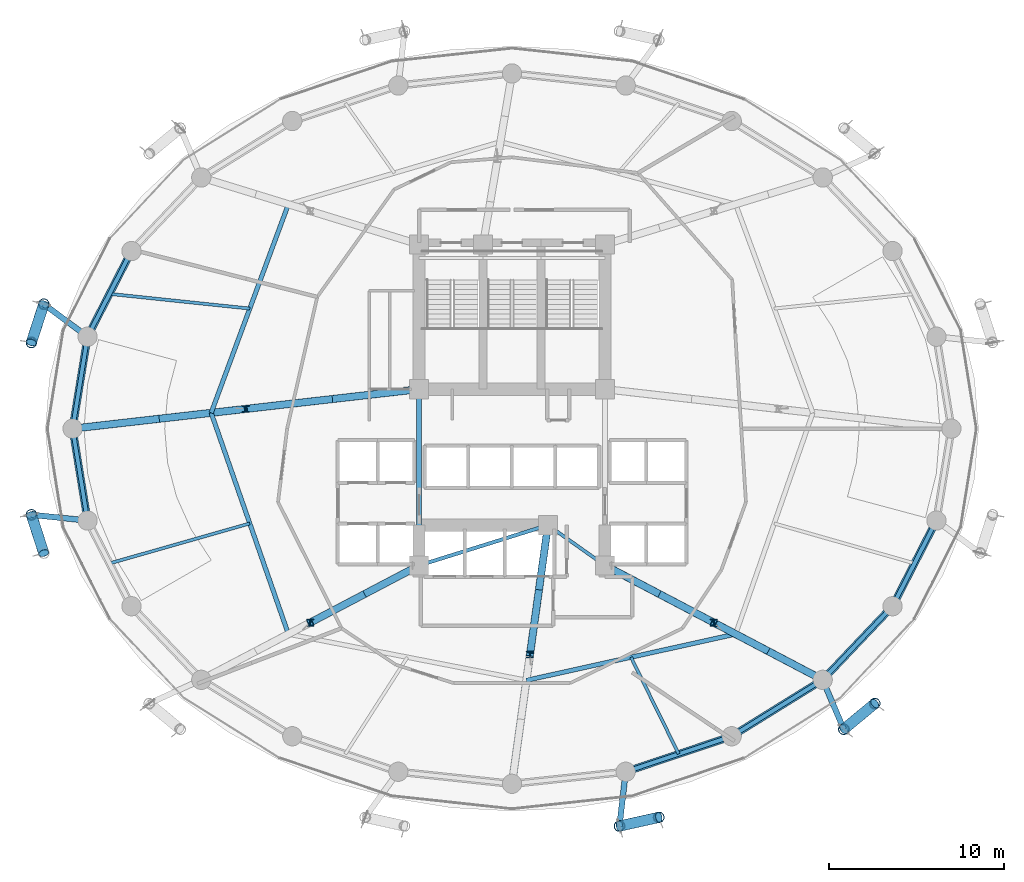
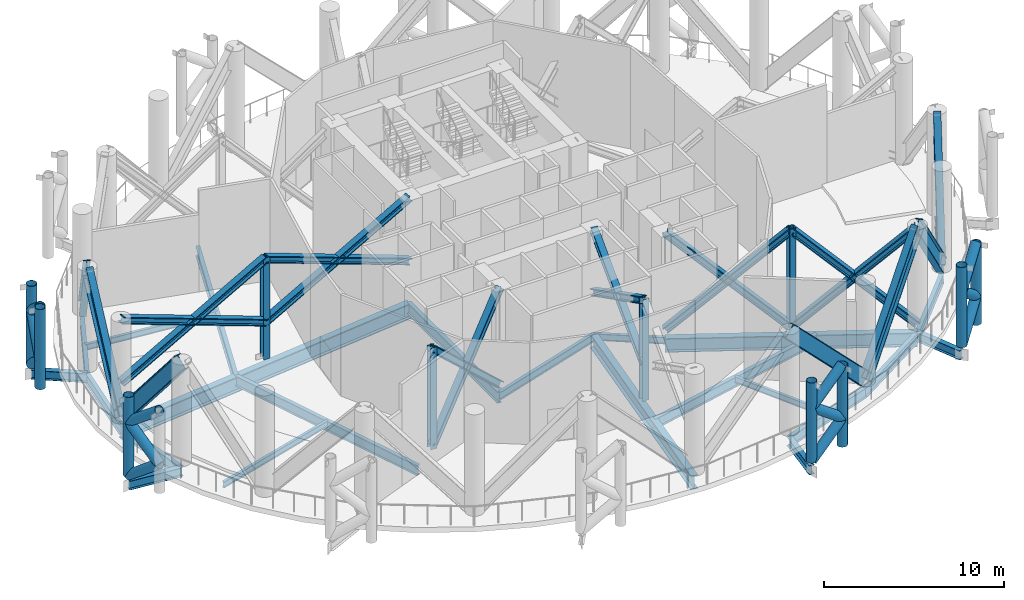
# One storey, part 2 of 19: 42 members, 23 beams.
"""IFC4 building model written with IfcOpenShell, lengths in metres."""

from ifc_helpers import new_model, si_unit, direction, frame, origin, origin_2d, place, context, subcontext, project, spatial, hollow_circle, i_section, extrude, material, material_profile, profile_set, type_object, element, save


model = new_model("IFC4")

# Units and contexts
model_context = context("Model", 3, precision=1e-05, world=origin(), true_north=direction((0.0, 1.0)))
body_context = subcontext(model_context, "Body", "Model", "MODEL_VIEW")
ifc_project = project(units=[si_unit("LENGTHUNIT", "METRE"), si_unit("AREAUNIT", "SQUARE_METRE"), si_unit("VOLUMEUNIT", "CUBIC_METRE"), si_unit("PLANEANGLEUNIT", "RADIAN"), si_unit("MASSUNIT", "GRAM", prefix="KILO")], contexts=[model_context])

# Site, building, storey
site_placement = place(None, origin())
site = spatial("IfcSite", under=ifc_project, at=site_placement, CompositionType="ELEMENT")
building_placement = place(site_placement, origin())
building = spatial("IfcBuilding", under=site, at=building_placement, Name="Nuhasar Tower", CompositionType="ELEMENT")
storey_placement = place(building_placement, frame((0.0, 0.0, 106.050048828125)))
storey = spatial("IfcBuildingStorey", under=building, at=storey_placement, Name="L25", CompositionType="ELEMENT", Elevation=106.050048828125)

# Members
ifc_material_1 = material(Name="Steel S460", Category="steel")
ifc_material_profile_1 = material_profile(ifc_material_1, i_section(OverallWidth=0.419921875, OverallDepth=0.931884765625, WebThickness=0.021240234375, FlangeThickness=0.03662109375, at=origin_2d()), Name="W36X262")
ifc_profile_set_1 = profile_set([ifc_material_profile_1], Name="Steel S460")
member_type_1 = type_object("IfcMemberType", Name="BLT-DIAG-W36A", PredefinedType="CHORD", material=ifc_profile_set_1)
member_1_placement = place(storey_placement, frame((17.305908203125, 36.925048828125, 0.14990234375), z_axis=(-0.292010631919, -0.570030512444, 0.767981123289), x_axis=(0.890015625314, -0.455930023905, 0.0)))
element("IfcMember", 1, at=member_1_placement, inside=storey, type_object=member_type_1, Name="L25 Belt Truss Diagonal 11", PredefinedType="CHORD", context=body_context, shape_type="SweptSolid", body=[
    extrude(i_section(OverallWidth=0.419921875, OverallDepth=0.931884765625, WebThickness=0.021240234375, FlangeThickness=0.03662109375, at=origin_2d()), origin(), (0.0, 0.0, 1.0), 8.568115234375),
])
for number, where, z_axis, x_axis, name in (
    (2, (13.949951171875, 26.800048828125, 0.14990234375), (0.101000515372, 0.619833637362, 0.778206372301), (-0.986982671235, 0.160826635486, 0.0), "L25 Belt Truss Diagonal 12"),
    (3, (13.949951171875, 26.800048828125, 0.14990234375), (0.101000515372, -0.619833637362, 0.778206372301), (0.986982671235, 0.160826635486, 0.0), "L25 Belt Truss Diagonal 13"),
):
    element("IfcMember", number, at=place(storey_placement, frame(where, z_axis=z_axis, x_axis=x_axis)), inside=storey, type_object=member_type_1, Name=name, PredefinedType="CHORD", context=body_context, shape_type="SweptSolid", body=[
        extrude(i_section(OverallWidth=0.419921875, OverallDepth=0.931884765625, WebThickness=0.021240234375, FlangeThickness=0.03662109375, at=origin_2d()), origin(), (0.0, 0.0, 1.0), 8.455322265625),
    ])
member_2_placement = place(storey_placement, frame((51.52490234375, 9.262939453125, 0.14990234375), z_axis=(-0.659646146628, -0.220859381403, 0.718392716337), x_axis=(0.317491935271, -0.94826097201, 0.0)))
element("IfcMember", 4, at=member_2_placement, inside=storey, type_object=member_type_1, Name="L25 Belt Truss Diagonal 20", PredefinedType="CHORD", context=body_context, shape_type="SweptSolid", body=[
    extrude(i_section(OverallWidth=0.419921875, OverallDepth=0.931884765625, WebThickness=0.021240234375, FlangeThickness=0.03662109375, at=origin_2d()), origin(), (0.0, 0.0, 1.0), 9.159423828125),
])
member_3_placement = place(storey_placement, frame((51.52490234375, 9.262939453125, 0.14990234375), z_axis=(0.5779854684, 0.358514186305, 0.733075969144), x_axis=(-0.527112976439, 0.849795216549, 0.0)))
element("IfcMember", 5, at=member_3_placement, inside=storey, type_object=member_type_1, Name="L25 Belt Truss Diagonal 21", PredefinedType="CHORD", context=body_context, shape_type="SweptSolid", body=[
    extrude(i_section(OverallWidth=0.419921875, OverallDepth=0.931884765625, WebThickness=0.021240234375, FlangeThickness=0.03662109375, at=origin_2d()), origin(), (0.0, 0.0, 1.0), 8.97607421875),
])
member_4_placement = place(storey_placement, frame((60.694091796875, 16.675048828125, 0.14990234375), z_axis=(-0.454474436548, -0.478776988131, 0.751149507196), x_axis=(0.725274490569, -0.688459812429, 0.0)))
element("IfcMember", 6, at=member_4_placement, inside=storey, type_object=member_type_1, Name="L25 Belt Truss Diagonal 22", PredefinedType="CHORD", context=body_context, shape_type="SweptSolid", body=[
    extrude(i_section(OverallWidth=0.419921875, OverallDepth=0.931884765625, WebThickness=0.021240234375, FlangeThickness=0.03662109375, at=origin_2d()), origin(), (0.0, 0.0, 1.0), 8.760009765625),
])
member_5_placement = place(storey_placement, frame((60.694091796875, 16.675048828125, 0.14990234375), z_axis=(0.292010631919, 0.570030512444, 0.767981123289), x_axis=(-0.890015625314, 0.455930023905, 0.0)))
element("IfcMember", 7, at=member_5_placement, inside=storey, type_object=member_type_1, Name="L25 Belt Truss Diagonal 23", PredefinedType="CHORD", context=body_context, shape_type="SweptSolid", body=[
    extrude(i_section(OverallWidth=0.419921875, OverallDepth=0.931884765625, WebThickness=0.021240234375, FlangeThickness=0.03662109375, at=origin_2d()), origin(), (0.0, 0.0, 1.0), 8.568115234375),
])

# Beams
ifc_material_2 = material(Name="Steel S355", Category="steel")
ifc_material_profile_2 = material_profile(ifc_material_2, i_section(OverallWidth=0.25390625, OverallDepth=0.68408203125, WebThickness=0.012451171875, FlangeThickness=0.018798828125, at=origin_2d()), Name="W27X94")
ifc_profile_set_2 = profile_set([ifc_material_profile_2], Name="Steel S355")
beam_type_1 = type_object("IfcBeamType", Name="BM-INRING-W27X94", PredefinedType="BEAM", material=ifc_profile_set_2)
beam_1_placement = place(storey_placement, frame((39.820068359375, 12.449951171875, -0.692138671875), z_axis=(0.976386023343, 0.216033176665, 0.0), x_axis=(-0.216033176665, 0.976386023343, 0.0)))
element("IfcBeam", 8, at=beam_1_placement, inside=storey, type_object=beam_type_1, Name="L25 Inner Header Beam 02", PredefinedType="BEAM", context=body_context, shape_type="SweptSolid", body=[
    extrude(i_section(OverallWidth=0.25390625, OverallDepth=0.68408203125, WebThickness=0.012451171875, FlangeThickness=0.018798828125, at=origin_2d()), origin(), (0.0, 0.0, 1.0), 12.216552734375),
])
beam_2_placement = place(storey_placement, frame((26.251953125, 39.591064453125, -0.692138671875), z_axis=(-0.34715757476, -0.937806812881, 0.0), x_axis=(0.937806812881, -0.34715757476, 0.0)))
element("IfcBeam", 9, at=beam_2_placement, inside=storey, type_object=beam_type_1, Name="L25 Inner Header Beam 07", PredefinedType="BEAM", context=body_context, shape_type="SweptSolid", body=[
    extrude(i_section(OverallWidth=0.25390625, OverallDepth=0.68408203125, WebThickness=0.012451171875, FlangeThickness=0.018798828125, at=origin_2d()), origin(), (0.0, 0.0, 1.0), 12.6796875),
])
beam_3_placement = place(storey_placement, frame((21.85009765625, 27.699951171875, -0.692138671875), z_axis=(0.329554049858, -0.944136710558, 0.0), x_axis=(0.944136710558, 0.329554049858, 0.0)))
element("IfcBeam", 10, at=beam_3_placement, inside=storey, type_object=beam_type_1, Name="L25 Inner Header Beam 08", PredefinedType="BEAM", context=body_context, shape_type="SweptSolid", body=[
    extrude(i_section(OverallWidth=0.25390625, OverallDepth=0.68408203125, WebThickness=0.012451171875, FlangeThickness=0.018798828125, at=origin_2d()), origin(), (0.0, 0.0, 1.0), 13.35693359375),
])
ifc_material_profile_3 = material_profile(ifc_material_2, i_section(OverallWidth=0.177978515625, OverallDepth=0.406005859375, WebThickness=0.0078125, FlangeThickness=0.0126953125, at=origin_2d()), Name="W16X40")
ifc_profile_set_3 = profile_set([ifc_material_profile_3], Name="Steel S355")
beam_type_2 = type_object("IfcBeamType", Name="BM-JST-W16X40", PredefinedType="JOIST", material=ifc_profile_set_3)
beam_4_placement = place(storey_placement, frame((45.783935546875, 13.77001953125, -0.552978515625), z_axis=(0.442126747458, -0.89695258469, 0.0), x_axis=(0.89695258469, 0.442126747458, 0.0)))
element("IfcBeam", 11, at=beam_4_placement, inside=storey, type_object=beam_type_2, Name="L25 Secondary Floor Joist 02", PredefinedType="JOIST", context=body_context, shape_type="SweptSolid", body=[
    extrude(i_section(OverallWidth=0.177978515625, OverallDepth=0.406005859375, WebThickness=0.0078125, FlangeThickness=0.0126953125, at=origin_2d()), origin(), (0.0, 0.0, 1.0), 6.152099609375),
])
beam_5_placement = place(storey_placement, frame((24.051025390625, 33.64501953125, -0.552978515625), z_axis=(-0.994554594377, 0.104216883485, 0.0), x_axis=(-0.104216883485, -0.994554594377, 0.0)))
element("IfcBeam", 12, at=beam_5_placement, inside=storey, type_object=beam_type_2, Name="L25 Secondary Floor Joist 07", PredefinedType="JOIST", context=body_context, shape_type="SweptSolid", body=[
    extrude(i_section(OverallWidth=0.177978515625, OverallDepth=0.406005859375, WebThickness=0.0078125, FlangeThickness=0.0126953125, at=origin_2d()), origin(), (0.0, 0.0, 1.0), 8.039794921875),
])
beam_6_placement = place(storey_placement, frame((24.051025390625, 21.39501953125, -0.552978515625), z_axis=(-0.961730884496, -0.273995813484, 0.0), x_axis=(0.273995813484, -0.961730884496, 0.0)))
element("IfcBeam", 13, at=beam_6_placement, inside=storey, type_object=beam_type_2, Name="L25 Secondary Floor Joist 08", PredefinedType="JOIST", context=body_context, shape_type="SweptSolid", body=[
    extrude(i_section(OverallWidth=0.177978515625, OverallDepth=0.406005859375, WebThickness=0.0078125, FlangeThickness=0.0126953125, at=origin_2d()), origin(), (0.0, 0.0, 1.0), 8.314208984375),
])
ifc_material_profile_4 = material_profile(ifc_material_2, i_section(OverallWidth=0.419921875, OverallDepth=0.931884765625, WebThickness=0.021240234375, FlangeThickness=0.03662109375, at=origin_2d()), Name="W36X262")
ifc_profile_set_4 = profile_set([ifc_material_profile_4], Name="Steel S355")
beam_type_3 = type_object("IfcBeamType", Name="BM-POD-W36X262", PredefinedType="BEAM", material=ifc_profile_set_4)
beam_7_placement = place(storey_placement, frame((41.050048828125, 21.300048828125, -0.816162109375), z_axis=(-0.137663087856, -0.990479113481, 0.0), x_axis=(0.990479113481, -0.137663087856, 0.0)))
element("IfcBeam", 14, at=beam_7_placement, inside=storey, type_object=beam_type_3, Name="L25 Radial Floor Girder 02", PredefinedType="BEAM", context=body_context, shape_type="SweptSolid", body=[
    extrude(i_section(OverallWidth=0.419921875, OverallDepth=0.931884765625, WebThickness=0.021240234375, FlangeThickness=0.03662109375, at=origin_2d()), origin(), (0.0, 0.0, 1.0), 14.891845703125),
])
beam_8_placement = place(storey_placement, frame((44.300048828125, 19.0, -0.816162109375), z_axis=(0.885330348705, -0.464962550816, 0.0), x_axis=(0.464962550816, 0.885330348705, 0.0)))
element("IfcBeam", 15, at=beam_8_placement, inside=storey, type_object=beam_type_3, Name="L25 Radial Floor Girder 03", PredefinedType="BEAM", context=body_context, shape_type="SweptSolid", body=[
    extrude(i_section(OverallWidth=0.419921875, OverallDepth=0.931884765625, WebThickness=0.021240234375, FlangeThickness=0.03662109375, at=origin_2d()), origin(), (0.0, 0.0, 1.0), 14.0205078125),
])
ifc_material_profile_5 = material_profile(ifc_material_2, i_section(OverallWidth=0.18994140625, OverallDepth=0.45703125, WebThickness=0.009033203125, FlangeThickness=0.014404296875, at=origin_2d()), Name="W18X50")
ifc_profile_set_5 = profile_set([ifc_material_profile_5], Name="Steel S355")
beam_type_4 = type_object("IfcBeamType", Name="BM-RAD-W18X50", PredefinedType="BEAM", material=ifc_profile_set_5)
beam_9_placement = place(storey_placement, frame((41.050048828125, 21.300048828125, -0.578125), z_axis=(0.816265428953, -0.577677028708, 0.0), x_axis=(0.577677028708, 0.816265428953, 0.0)))
element("IfcBeam", 16, at=beam_9_placement, inside=storey, type_object=beam_type_4, Name="L25 Core Ring Girder 2", PredefinedType="BEAM", context=body_context, shape_type="SweptSolid", body=[
    extrude(i_section(OverallWidth=0.18994140625, OverallDepth=0.45703125, WebThickness=0.009033203125, FlangeThickness=0.014404296875, at=origin_2d()), origin(), (0.0, 0.0, 1.0), 3.9814453125),
])
ifc_material_profile_6 = material_profile(ifc_material_2, i_section(OverallWidth=0.208984375, OverallDepth=0.532958984375, WebThickness=0.01025390625, FlangeThickness=0.015625, at=origin_2d()), Name="W21X62")
ifc_profile_set_6 = profile_set([ifc_material_profile_6], Name="Steel S355")
beam_type_5 = type_object("IfcBeamType", Name="BM-RAD-W21X62", PredefinedType="BEAM", material=ifc_profile_set_6)
beam_10_placement = place(storey_placement, frame((33.699951171875, 19.0, -0.615966796875), z_axis=(0.954363709454, 0.298646798205, 0.0), x_axis=(-0.298646798205, 0.954363709454, 0.0)))
element("IfcBeam", 17, at=beam_10_placement, inside=storey, type_object=beam_type_5, Name="L25 Core Ring Girder 1", PredefinedType="BEAM", context=body_context, shape_type="SweptSolid", body=[
    extrude(i_section(OverallWidth=0.208984375, OverallDepth=0.532958984375, WebThickness=0.01025390625, FlangeThickness=0.015625, at=origin_2d()), origin(), (0.0, 0.0, 1.0), 7.70166015625),
])
ifc_material_profile_7 = material_profile(ifc_material_2, i_section(OverallWidth=0.26611328125, OverallDepth=0.779052734375, WebThickness=0.0166015625, FlangeThickness=0.030029296875, at=origin_2d()), Name="W30X148")
ifc_profile_set_7 = profile_set([ifc_material_profile_7], Name="Steel S355")
beam_type_6 = type_object("IfcBeamType", Name="BM-RAD-W30X148", PredefinedType="BEAM", material=ifc_profile_set_7)
beam_11_placement = place(storey_placement, frame((33.699951171875, 29.050048828125, -0.739013671875), z_axis=(0.0, -1.0, 0.0), x_axis=(1.0, 0.0, 0.0)))
element("IfcBeam", 18, at=beam_11_placement, inside=storey, type_object=beam_type_6, Name="L25 Core Ring Girder 8", PredefinedType="BEAM", context=body_context, shape_type="SweptSolid", body=[
    extrude(i_section(OverallWidth=0.26611328125, OverallDepth=0.779052734375, WebThickness=0.0166015625, FlangeThickness=0.030029296875, at=origin_2d()), origin(), (0.0, 0.0, 1.0), 10.050048828125),
])
ifc_material_profile_8 = material_profile(ifc_material_2, i_section(OverallWidth=0.256103515625, OverallDepth=0.693115234375, WebThickness=0.014404296875, FlangeThickness=0.023681640625, at=origin_2d()), Name="W27X114")
ifc_profile_set_8 = profile_set([ifc_material_profile_8], Name="Steel S355")
beam_type_7 = type_object("IfcBeamType", Name="BM-RING-W27X114", PredefinedType="SPANDREL", material=ifc_profile_set_8)
beam_12_placement = place(storey_placement, frame((17.305908203125, 36.925048828125, -0.697021484375), z_axis=(-0.455930023905, -0.890015625314, 0.0), x_axis=(0.890015625314, -0.455930023905, 0.0)))
element("IfcBeam", 19, at=beam_12_placement, inside=storey, type_object=beam_type_7, Name="L25 Perimeter Ring Spandrel 11", PredefinedType="SPANDREL", context=body_context, shape_type="SweptSolid", body=[
    extrude(i_section(OverallWidth=0.256103515625, OverallDepth=0.693115234375, WebThickness=0.014404296875, FlangeThickness=0.023681640625, at=origin_2d()), origin(), (0.0, 0.0, 1.0), 5.487548828125),
])
for number, where, z_axis, x_axis, name in (
    (20, (14.803955078125, 32.041015625, -0.697021484375), (-0.160826635486, -0.986982671235, 0.0), (0.986982671235, -0.160826635486, 0.0), "L25 Perimeter Ring Spandrel 12"),
    (21, (13.949951171875, 26.800048828125, -0.697021484375), (0.160826635486, -0.986982671235, 0.0), (0.986982671235, 0.160826635486, 0.0), "L25 Perimeter Ring Spandrel 13"),
):
    element("IfcBeam", number, at=place(storey_placement, frame(where, z_axis=z_axis, x_axis=x_axis)), inside=storey, type_object=beam_type_7, Name=name, PredefinedType="SPANDREL", context=body_context, shape_type="SweptSolid", body=[
        extrude(i_section(OverallWidth=0.256103515625, OverallDepth=0.693115234375, WebThickness=0.014404296875, FlangeThickness=0.023681640625, at=origin_2d()), origin(), (0.0, 0.0, 1.0), 5.31005859375),
    ])
beam_13_placement = place(storey_placement, frame((45.48291015625, 7.239990234375, -0.697021484375), z_axis=(0.94826097201, 0.317491935271, 0.0), x_axis=(-0.317491935271, 0.94826097201, 0.0)))
element("IfcBeam", 22, at=beam_13_placement, inside=storey, type_object=beam_type_7, Name="L25 Perimeter Ring Spandrel 20", PredefinedType="SPANDREL", context=body_context, shape_type="SweptSolid", body=[
    extrude(i_section(OverallWidth=0.256103515625, OverallDepth=0.693115234375, WebThickness=0.014404296875, FlangeThickness=0.023681640625, at=origin_2d()), origin(), (0.0, 0.0, 1.0), 6.37158203125),
])
beam_14_placement = place(storey_placement, frame((51.52490234375, 9.262939453125, -0.697021484375), z_axis=(0.849795216549, 0.527112976439, 0.0), x_axis=(-0.527112976439, 0.849795216549, 0.0)))
element("IfcBeam", 23, at=beam_14_placement, inside=storey, type_object=beam_type_7, Name="L25 Perimeter Ring Spandrel 21", PredefinedType="SPANDREL", context=body_context, shape_type="SweptSolid", body=[
    extrude(i_section(OverallWidth=0.256103515625, OverallDepth=0.693115234375, WebThickness=0.014404296875, FlangeThickness=0.023681640625, at=origin_2d()), origin(), (0.0, 0.0, 1.0), 6.10498046875),
])
beam_15_placement = place(storey_placement, frame((56.712890625, 12.48095703125, -0.697021484375), z_axis=(0.688459812429, 0.725274490569, 0.0), x_axis=(-0.725274490569, 0.688459812429, 0.0)))
element("IfcBeam", 24, at=beam_15_placement, inside=storey, type_object=beam_type_7, Name="L25 Perimeter Ring Spandrel 22", PredefinedType="SPANDREL", context=body_context, shape_type="SweptSolid", body=[
    extrude(i_section(OverallWidth=0.256103515625, OverallDepth=0.693115234375, WebThickness=0.014404296875, FlangeThickness=0.023681640625, at=origin_2d()), origin(), (0.0, 0.0, 1.0), 5.78271484375),
])
beam_16_placement = place(storey_placement, frame((60.694091796875, 16.675048828125, -0.697021484375), z_axis=(0.455930023905, 0.890015625314, 0.0), x_axis=(-0.890015625314, 0.455930023905, 0.0)))
element("IfcBeam", 25, at=beam_16_placement, inside=storey, type_object=beam_type_7, Name="L25 Perimeter Ring Spandrel 23", PredefinedType="SPANDREL", context=body_context, shape_type="SweptSolid", body=[
    extrude(i_section(OverallWidth=0.256103515625, OverallDepth=0.693115234375, WebThickness=0.014404296875, FlangeThickness=0.023681640625, at=origin_2d()), origin(), (0.0, 0.0, 1.0), 5.487548828125),
])
ifc_material_profile_9 = material_profile(ifc_material_2, i_section(OverallWidth=0.323974609375, OverallDepth=0.611083984375, WebThickness=0.0126953125, FlangeThickness=0.01904296875, at=origin_2d()), Name="W24X104")
ifc_profile_set_9 = profile_set([ifc_material_profile_9], Name="Steel S355")
beam_type_8 = type_object("IfcBeamType", Name="BM-TIE-W24X104", PredefinedType="BEAM", material=ifc_profile_set_9)
beam_17_placement = place(storey_placement, frame((14.803955078125, 32.041015625, -0.655029296875), z_axis=(-0.802151061326, 0.597121155892, 0.0), x_axis=(-0.597121155892, -0.802151061326, 0.0)))
element("IfcBeam", 26, at=beam_17_placement, inside=storey, type_object=beam_type_8, Name="L25 Exoskeleton Node Tie Beam 06", PredefinedType="BEAM", context=body_context, shape_type="SweptSolid", body=[
    extrude(i_section(OverallWidth=0.323974609375, OverallDepth=0.611083984375, WebThickness=0.0126953125, FlangeThickness=0.01904296875, at=origin_2d()), origin(), (0.0, 0.0, 1.0), 3.111328125),
])
beam_18_placement = place(storey_placement, frame((14.803955078125, 21.55908203125, -0.655029296875), z_axis=(-0.994711572359, 0.102707778751, 0.0), x_axis=(-0.102707778751, -0.994711572359, 0.0)))
element("IfcBeam", 27, at=beam_18_placement, inside=storey, type_object=beam_type_8, Name="L25 Exoskeleton Node Tie Beam 07", PredefinedType="BEAM", context=body_context, shape_type="SweptSolid", body=[
    extrude(i_section(OverallWidth=0.323974609375, OverallDepth=0.611083984375, WebThickness=0.0126953125, FlangeThickness=0.01904296875, at=origin_2d()), origin(), (0.0, 0.0, 1.0), 3.220947265625),
])
beam_19_placement = place(storey_placement, frame((45.48291015625, 7.239990234375, -0.655029296875), z_axis=(-0.115042934281, -0.993360520291, 0.0), x_axis=(0.993360520291, -0.115042934281, 0.0)))
element("IfcBeam", 28, at=beam_19_placement, inside=storey, type_object=beam_type_8, Name="L25 Exoskeleton Node Tie Beam 10", PredefinedType="BEAM", context=body_context, shape_type="SweptSolid", body=[
    extrude(i_section(OverallWidth=0.323974609375, OverallDepth=0.611083984375, WebThickness=0.0126953125, FlangeThickness=0.01904296875, at=origin_2d()), origin(), (0.0, 0.0, 1.0), 3.11962890625),
])
beam_20_placement = place(storey_placement, frame((56.712890625, 12.48095703125, -0.655029296875), z_axis=(0.391601084021, -0.920135093882, 0.0), x_axis=(0.920135093882, 0.391601084021, 0.0)))
element("IfcBeam", 29, at=beam_20_placement, inside=storey, type_object=beam_type_8, Name="L25 Exoskeleton Node Tie Beam 11", PredefinedType="BEAM", context=body_context, shape_type="SweptSolid", body=[
    extrude(i_section(OverallWidth=0.323974609375, OverallDepth=0.611083984375, WebThickness=0.0126953125, FlangeThickness=0.01904296875, at=origin_2d()), origin(), (0.0, 0.0, 1.0), 3.06494140625),
])
ifc_material_profile_10 = material_profile(ifc_material_1, i_section(OverallWidth=0.419921875, OverallDepth=1.0400390625, WebThickness=0.031005859375, FlangeThickness=0.055908203125, at=origin_2d()), Name="W40X397")
ifc_profile_set_10 = profile_set([ifc_material_profile_10], Name="Steel S460")
beam_type_9 = type_object("IfcBeamType", Name="BM-XFER-W40X397", PredefinedType="USERDEFINED", material=ifc_profile_set_10)
beam_21_placement = place(storey_placement, frame((33.699951171875, 29.050048828125, -0.8701171875), z_axis=(-0.993573147212, -0.113191877531, 0.0), x_axis=(0.113191877531, -0.993573147212, 0.0)))
element("IfcBeam", 30, at=beam_21_placement, inside=storey, type_object=beam_type_9, Name="L25 Radial Floor Girder 08", ObjectType="GIRDER", PredefinedType="USERDEFINED", context=body_context, shape_type="SweptSolid", body=[
    extrude(i_section(OverallWidth=0.419921875, OverallDepth=1.0400390625, WebThickness=0.031005859375, FlangeThickness=0.055908203125, at=origin_2d()), origin(), (0.0, 0.0, 1.0), 19.877685546875),
])

# Members
ifc_material_profile_11 = material_profile(ifc_material_1, hollow_circle(Radius=0.304931640625, WallThickness=0.025390625, at=origin_2d()), Name="HSS610X25.4")
ifc_profile_set_11 = profile_set([ifc_material_profile_11], Name="Steel S460")
member_type_2 = type_object("IfcMemberType", Name="EXO-BRONZE-610", PredefinedType="BRACE", material=ifc_profile_set_11)
for number, where, z_axis, x_axis, name in (
    (31, (12.30810546875, 33.89892578125, 0.0), (0.0, 0.0, 1.0), (1.0, 0.0, 0.0), "L25 Exoskeleton Chord Column EC-06A"),
    (32, (11.60009765625, 31.7099609375, 0.0), (0.0, 0.0, 1.0), (1.0, 0.0, 0.0), "L25 Exoskeleton Chord Column EC-06B"),
    (33, (11.60009765625, 21.889892578125, 0.0), (0.0, 0.0, 1.0), (1.0, 0.0, 0.0), "L25 Exoskeleton Chord Column EC-07A"),
    (34, (45.1240234375, 4.14111328125, 0.0), (0.0, 0.0, 1.0), (1.0, 0.0, 0.0), "L25 Exoskeleton Chord Column EC-10A"),
    (35, (47.3701171875, 4.639892578125, 0.0), (0.0, 0.0, 1.0), (1.0, 0.0, 0.0), "L25 Exoskeleton Chord Column EC-10B"),
    (36, (57.9130859375, 9.660888671875, 0.0), (0.0, 0.0, 1.0), (1.0, 0.0, 0.0), "L25 Exoskeleton Chord Column EC-11A"),
    (37, (59.68505859375, 11.12890625, 0.0), (0.0, 0.0, 1.0), (1.0, 0.0, 0.0), "L25 Exoskeleton Chord Column EC-11B"),
):
    element("IfcMember", number, at=place(storey_placement, frame(where, z_axis=z_axis, x_axis=x_axis)), inside=storey, type_object=member_type_2, Name=name, PredefinedType="BRACE", context=body_context, shape_type="SweptSolid", body=[
        extrude(hollow_circle(Radius=0.304931640625, WallThickness=0.025390625, at=origin_2d()), origin(), (0.0, 0.0, 1.0), 5.429931640625),
    ])
for number, where, z_axis, x_axis, name in (
    (38, (12.30810546875, 33.89892578125, 0.0), (-0.24186279614, -0.747773044894, 0.618334748477), (0.951468282519, -0.307746823478, 0.0), "L25 Bronze Diagrid Brace W1-06"),
    (39, (11.60009765625, 31.7099609375, 1.81005859375), (0.241875269059, 0.747811607718, 0.618283230874), (-0.951468282519, 0.307746823478, 0.0), "L25 Bronze Diagrid Brace W2-06"),
    (40, (12.30810546875, 33.89892578125, 3.619873046875), (-0.24186279614, -0.747773044894, 0.618334748477), (0.951468282519, -0.307746823478, 0.0), "L25 Bronze Diagrid Brace W3-06"),
    (41, (11.60009765625, 21.889892578125, 0.0), (0.24186279614, -0.747773044894, 0.618334748477), (0.951468282519, 0.307746823478, 0.0), "L25 Bronze Diagrid Brace W1-07"),
    (42, (12.30810546875, 19.700927734375, 1.81005859375), (-0.241875269059, 0.747811607718, 0.618283230874), (-0.951468282519, -0.307746823478, 0.0), "L25 Bronze Diagrid Brace W2-07"),
    (43, (11.60009765625, 21.889892578125, 3.619873046875), (0.24186279614, -0.747773044894, 0.618334748477), (0.951468282519, 0.307746823478, 0.0), "L25 Bronze Diagrid Brace W3-07"),
):
    element("IfcMember", number, at=place(storey_placement, frame(where, z_axis=z_axis, x_axis=x_axis)), inside=storey, type_object=member_type_2, Name=name, PredefinedType="BRACE", context=body_context, shape_type="SweptSolid", body=[
        extrude(hollow_circle(Radius=0.304931640625, WallThickness=0.025390625, at=origin_2d()), origin(), (0.0, 0.0, 1.0), 2.92724609375),
    ])
member_6_placement = place(storey_placement, frame((45.1240234375, 4.14111328125, 0.0), z_axis=(0.767249664901, 0.17037946363, 0.618303153867), x_axis=(-0.216784396973, 0.976219506683, 0.0)))
element("IfcMember", 44, at=member_6_placement, inside=storey, type_object=member_type_2, Name="L25 Bronze Diagrid Brace W1-10", PredefinedType="BRACE", context=body_context, shape_type="SweptSolid", body=[
    extrude(hollow_circle(Radius=0.304931640625, WallThickness=0.025390625, at=origin_2d()), origin(), (0.0, 0.0, 1.0), 2.927490234375),
])
member_7_placement = place(storey_placement, frame((47.3701171875, 4.639892578125, 1.81005859375), z_axis=(-0.767289228096, -0.170388249239, 0.618251635638), x_axis=(0.216784396973, -0.976219506683, 0.0)))
element("IfcMember", 45, at=member_7_placement, inside=storey, type_object=member_type_2, Name="L25 Bronze Diagrid Brace W2-10", PredefinedType="BRACE", context=body_context, shape_type="SweptSolid", body=[
    extrude(hollow_circle(Radius=0.304931640625, WallThickness=0.025390625, at=origin_2d()), origin(), (0.0, 0.0, 1.0), 2.92724609375),
])
member_8_placement = place(storey_placement, frame((45.1240234375, 4.14111328125, 3.619873046875), z_axis=(0.767249664901, 0.17037946363, 0.618303153867), x_axis=(-0.216784396973, 0.976219506683, 0.0)))
element("IfcMember", 46, at=member_8_placement, inside=storey, type_object=member_type_2, Name="L25 Bronze Diagrid Brace W3-10", PredefinedType="BRACE", context=body_context, shape_type="SweptSolid", body=[
    extrude(hollow_circle(Radius=0.304931640625, WallThickness=0.025390625, at=origin_2d()), origin(), (0.0, 0.0, 1.0), 2.927490234375),
])
member_9_placement = place(storey_placement, frame((57.9130859375, 9.660888671875, 0.0), z_axis=(0.605249314085, 0.501427958886, 0.618258254977), x_axis=(-0.637969333506, 0.770061769929, 0.0)))
element("IfcMember", 47, at=member_9_placement, inside=storey, type_object=member_type_2, Name="L25 Bronze Diagrid Brace W1-11", PredefinedType="BRACE", context=body_context, shape_type="SweptSolid", body=[
    extrude(hollow_circle(Radius=0.304931640625, WallThickness=0.025390625, at=origin_2d()), origin(), (0.0, 0.0, 1.0), 2.927734375),
])
member_10_placement = place(storey_placement, frame((59.68505859375, 11.12890625, 1.81005859375), z_axis=(-0.605280519206, -0.50145381124, 0.61820673586), x_axis=(0.637969333506, -0.770061769929, 0.0)))
element("IfcMember", 48, at=member_10_placement, inside=storey, type_object=member_type_2, Name="L25 Bronze Diagrid Brace W2-11", PredefinedType="BRACE", context=body_context, shape_type="SweptSolid", body=[
    extrude(hollow_circle(Radius=0.304931640625, WallThickness=0.025390625, at=origin_2d()), origin(), (0.0, 0.0, 1.0), 2.927490234375),
])
member_11_placement = place(storey_placement, frame((57.9130859375, 9.660888671875, 3.619873046875), z_axis=(0.605249314085, 0.501427958886, 0.618258254977), x_axis=(-0.637969333506, 0.770061769929, 0.0)))
element("IfcMember", 49, at=member_11_placement, inside=storey, type_object=member_type_2, Name="L25 Bronze Diagrid Brace W3-11", PredefinedType="BRACE", context=body_context, shape_type="SweptSolid", body=[
    extrude(hollow_circle(Radius=0.304931640625, WallThickness=0.025390625, at=origin_2d()), origin(), (0.0, 0.0, 1.0), 2.927734375),
])
ifc_material_profile_12 = material_profile(ifc_material_1, i_section(OverallWidth=0.39892578125, OverallDepth=0.385986328125, WebThickness=0.02099609375, FlangeThickness=0.033203125, at=origin_2d()), Name="W14X176")
ifc_profile_set_12 = profile_set([ifc_material_profile_12], Name="Steel S460")
member_type_3 = type_object("IfcMemberType", Name="OUT-CHRD-W14C", PredefinedType="CHORD", material=ifc_profile_set_12)
for number, where, z_axis, x_axis, name in (
    (50, (27.493896484375, 15.740966796875, 0.0), (0.0, 0.0, 1.0), (1.0, 0.0, 0.0), "L25 Outrigger Truss Post 01"),
    (51, (40.02490234375, 13.925048828125, 0.0), (0.0, 0.0, 1.0), (1.0, 0.0, 0.0), "L25 Outrigger Truss Post 02"),
    (52, (50.507080078125, 15.740966796875, 0.0), (0.0, 0.0, 1.0), (1.0, 0.0, 0.0), "L25 Outrigger Truss Post 03"),
    (53, (23.824951171875, 27.925048828125, 0.0), (0.0, 0.0, 1.0), (1.0, 0.0, 0.0), "L25 Outrigger Truss Post 08"),
):
    element("IfcMember", number, at=place(storey_placement, frame(where, z_axis=z_axis, x_axis=x_axis)), inside=storey, type_object=member_type_3, Name=name, PredefinedType="CHORD", context=body_context, shape_type="SweptSolid", body=[
        extrude(i_section(OverallWidth=0.39892578125, OverallDepth=0.385986328125, WebThickness=0.02099609375, FlangeThickness=0.033203125, at=origin_2d()), origin(), (0.0, 0.0, 1.0), 6.8798828125),
    ])
ifc_material_profile_13 = material_profile(ifc_material_1, i_section(OverallWidth=0.412109375, OverallDepth=0.43408203125, WebThickness=0.035888671875, FlangeThickness=0.057373046875, at=origin_2d()), Name="W14X311")
ifc_profile_set_13 = profile_set([ifc_material_profile_13], Name="Steel S460")
member_type_4 = type_object("IfcMemberType", Name="OUT-DIAG-W14A", PredefinedType="STRUT", material=ifc_profile_set_13)
for number, where, z_axis, x_axis, name in (
    (54, (33.699951171875, 19.0, 0.14990234375), (-0.645505727048, -0.338979384357, 0.684408747262), (0.464929457869, -0.885347727848, 0.0), "L25 Outrigger Truss Diagonal IN1-01"),
    (55, (27.493896484375, 15.740966796875, 0.14990234375), (0.645505727048, 0.338979384357, 0.684408747262), (-0.464929457869, 0.885347727848, 0.0), "L25 Outrigger Truss Diagonal IN2-01"),
):
    element("IfcMember", number, at=place(storey_placement, frame(where, z_axis=z_axis, x_axis=x_axis)), inside=storey, type_object=member_type_4, Name=name, PredefinedType="STRUT", context=body_context, shape_type="SweptSolid", body=[
        extrude(i_section(OverallWidth=0.412109375, OverallDepth=0.43408203125, WebThickness=0.035888671875, FlangeThickness=0.057373046875, at=origin_2d()), origin(), (0.0, 0.0, 1.0), 9.6142578125),
    ])
for number, where, z_axis, x_axis, name in (
    (56, (41.050048828125, 21.300048828125, 2.449951171875), (-0.119364416842, -0.858718814946, 0.498351415017), (0.990476877951, -0.137679171429, 0.0), "L25 Outrigger Truss Diagonal IN1-02"),
    (57, (40.02490234375, 13.925048828125, 2.449951171875), (0.119364416842, 0.858718814946, 0.498351415017), (-0.990476877951, 0.137679171429, 0.0), "L25 Outrigger Truss Diagonal IN2-02"),
):
    element("IfcMember", number, at=place(storey_placement, frame(where, z_axis=z_axis, x_axis=x_axis)), inside=storey, type_object=member_type_4, Name=name, PredefinedType="STRUT", context=body_context, shape_type="SweptSolid", body=[
        extrude(i_section(OverallWidth=0.412109375, OverallDepth=0.43408203125, WebThickness=0.035888671875, FlangeThickness=0.057373046875, at=origin_2d()), origin(), (0.0, 0.0, 1.0), 8.58837890625),
    ])
for number, where, z_axis, x_axis, name in (
    (58, (44.300048828125, 19.0, 0.14990234375), (0.645564971878, -0.338957158968, 0.684363873586), (0.464872118477, 0.885377836555, 0.0), "L25 Outrigger Truss Diagonal IN1-03"),
    (59, (50.507080078125, 15.740966796875, 0.14990234375), (-0.645564971878, 0.338957158968, 0.684363873586), (-0.464872118477, -0.885377836555, 0.0), "L25 Outrigger Truss Diagonal IN2-03"),
):
    element("IfcMember", number, at=place(storey_placement, frame(where, z_axis=z_axis, x_axis=x_axis)), inside=storey, type_object=member_type_4, Name=name, PredefinedType="STRUT", context=body_context, shape_type="SweptSolid", body=[
        extrude(i_section(OverallWidth=0.412109375, OverallDepth=0.43408203125, WebThickness=0.035888671875, FlangeThickness=0.057373046875, at=origin_2d()), origin(), (0.0, 0.0, 1.0), 9.614990234375),
    ])
for number, where, z_axis, x_axis, name in (
    (60, (50.507080078125, 15.740966796875, 0.14990234375), (0.645468685792, -0.339074840135, 0.684396397163), (0.465052986387, 0.885282847373, 0.0), "L25 Outrigger Truss Diagonal OUT1-03"),
    (61, (56.712890625, 12.48095703125, 0.14990234375), (-0.645468685792, 0.339074840135, 0.684396397163), (-0.465052986387, -0.885282847373, 0.0), "L25 Outrigger Truss Diagonal OUT2-03"),
):
    element("IfcMember", number, at=place(storey_placement, frame(where, z_axis=z_axis, x_axis=x_axis)), inside=storey, type_object=member_type_4, Name=name, PredefinedType="STRUT", context=body_context, shape_type="SweptSolid", body=[
        extrude(i_section(OverallWidth=0.412109375, OverallDepth=0.43408203125, WebThickness=0.035888671875, FlangeThickness=0.057373046875, at=origin_2d()), origin(), (0.0, 0.0, 1.0), 9.614501953125),
    ])
for number, where, z_axis, x_axis, name in (
    (62, (33.699951171875, 29.050048828125, 2.449951171875), (-0.912554562431, -0.103961912176, 0.395520026552), (0.113191877531, -0.993573147212, 0.0), "L25 Outrigger Truss Diagonal IN1-08"),
    (63, (23.824951171875, 27.925048828125, 2.449951171875), (0.912554562431, 0.103961912176, 0.395520026552), (-0.113191877531, 0.993573147212, 0.0), "L25 Outrigger Truss Diagonal IN2-08"),
    (64, (23.824951171875, 27.925048828125, 2.449951171875), (-0.912554562431, -0.103961912176, 0.395520026552), (0.113191877531, -0.993573147212, 0.0), "L25 Outrigger Truss Diagonal OUT1-08"),
    (65, (13.949951171875, 26.800048828125, 2.449951171875), (0.912554562431, 0.103961912176, 0.395520026552), (-0.113191877531, 0.993573147212, 0.0), "L25 Outrigger Truss Diagonal OUT2-08"),
):
    element("IfcMember", number, at=place(storey_placement, frame(where, z_axis=z_axis, x_axis=x_axis)), inside=storey, type_object=member_type_4, Name=name, PredefinedType="STRUT", context=body_context, shape_type="SweptSolid", body=[
        extrude(i_section(OverallWidth=0.412109375, OverallDepth=0.43408203125, WebThickness=0.035888671875, FlangeThickness=0.057373046875, at=origin_2d()), origin(), (0.0, 0.0, 1.0), 10.8212890625),
    ])

save(model, "model.ifc")
